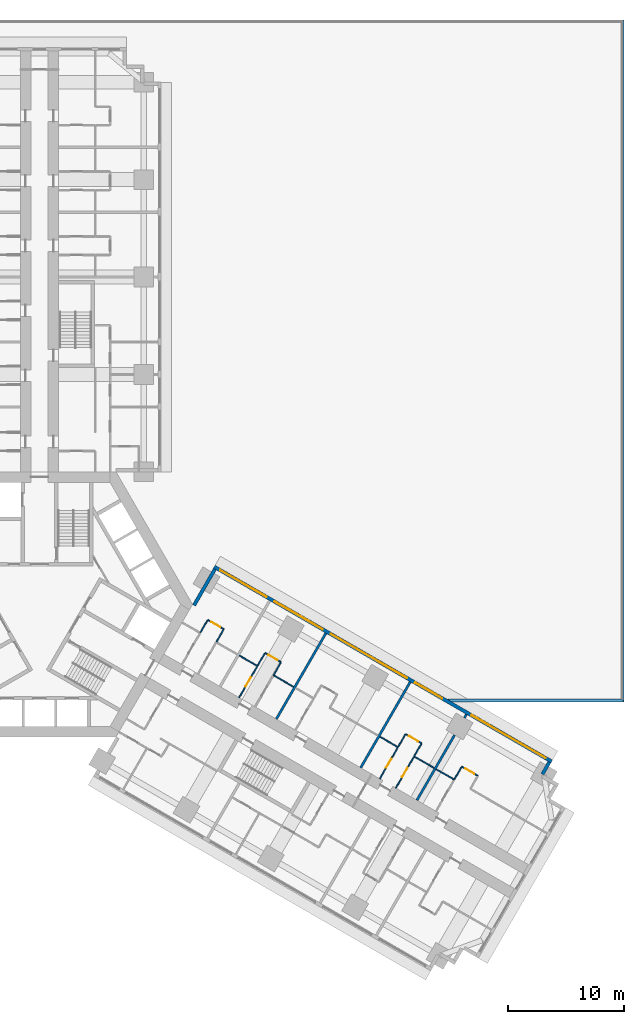
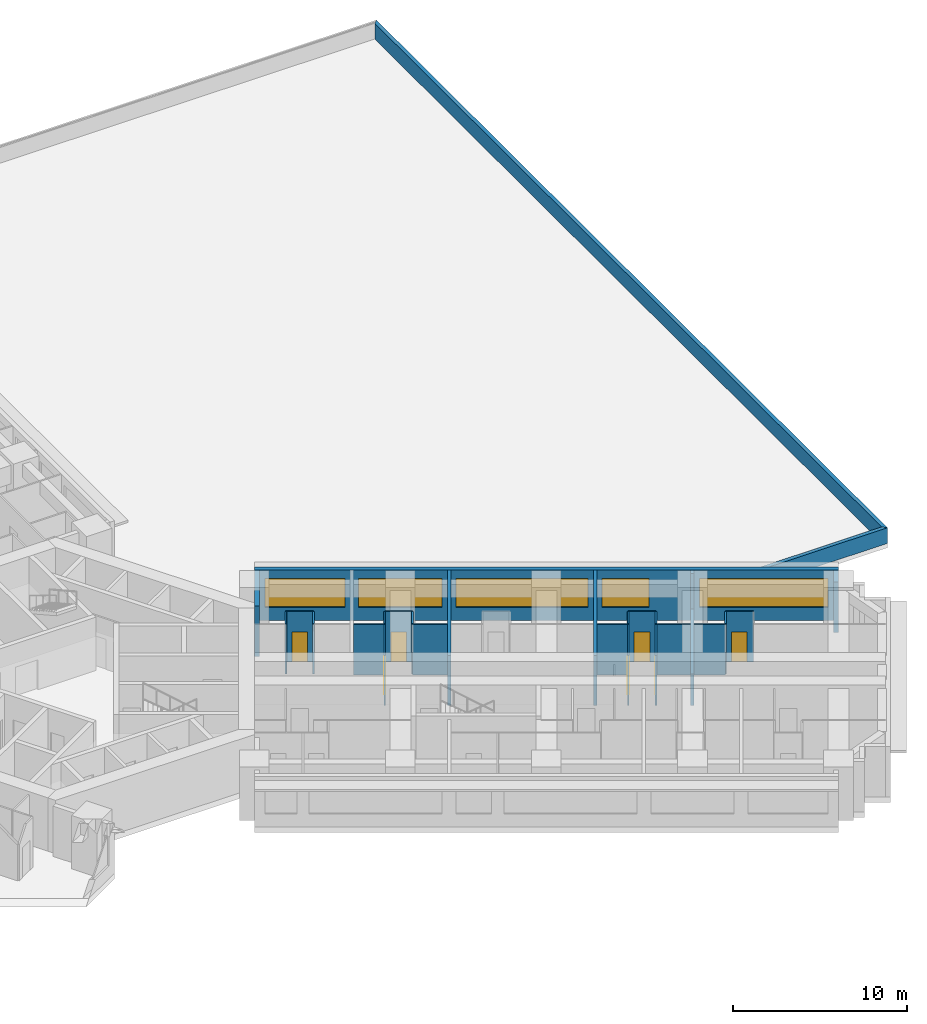
# One storey, part 13 of 18: 28 walls, 7 doors, 5 windows, 12 openings.
"""IFC4 building model written with IfcOpenShell, lengths in metres."""

from ifc_helpers import new_model, si_unit, direction, frame, frame_2d, origin, place, context, subcontext, project, spatial, polyline, rectangle, outline, extrude, material, layer, layer_set, type_object, element, fill, save


model = new_model("IFC4")

# Units and contexts
model_context = context("Model", 3, precision=1e-05, world=origin(), true_north=direction((0.0, 1.0)))
body_context = subcontext(model_context, "Body", "Model", "MODEL_VIEW")
ifc_project = project(units=[si_unit("LENGTHUNIT", "METRE"), si_unit("AREAUNIT", "SQUARE_METRE"), si_unit("VOLUMEUNIT", "CUBIC_METRE"), si_unit("PLANEANGLEUNIT", "RADIAN"), si_unit("MASSUNIT", "GRAM", prefix="KILO")], contexts=[model_context])

# Site, building, storey
site_placement = place(None, origin())
site = spatial("IfcSite", under=ifc_project, at=site_placement, CompositionType="ELEMENT")
building_placement = place(site_placement, origin())
building = spatial("IfcBuilding", under=site, at=building_placement, Name="Impinga Residences", CompositionType="ELEMENT")
storey_placement = place(building_placement, frame((0.0, 0.0, 26.0)))
storey = spatial("IfcBuildingStorey", under=building, at=storey_placement, Name="L05", CompositionType="ELEMENT", Elevation=26.0)

# Wall
ifc_material_1 = material(Name="Terracotta rainscreen on blockwork", Category="masonry")
ifc_layer_1 = layer(ifc_material_1, 0.300048828125)
ifc_layer_set_1 = layer_set([ifc_layer_1], Name="EW1 external wall, terracotta rainscreen on blockwork 300")
wall_type_1 = type_object("IfcWallType", Name="EW1 external wall, terracotta rainscreen on blockwork 300", PredefinedType="SOLIDWALL", material=ifc_layer_set_1)
wall_1_placement = place(storey_placement, frame((13.329833984375, -0.074951171875, 0.0), z_axis=(0.0, 0.0, 1.0), x_axis=(0.500012057535, 0.866018442252, 0.0)))
element("IfcWall", 1, at=wall_1_placement, inside=storey, type_object=wall_type_1, Name="External wall EW1 L05", PredefinedType="SOLIDWALL", context=body_context, shape_type="SweptSolid", body=[
    extrude(rectangle(XDim=3.60009765625, YDim=0.300048828125, at=frame_2d((1.800048828125, 0.0))), origin(), (0.0, 0.0, 1.0), 3.530029296875),
])

# Wall, openings, windows
wall_2_placement = place(storey_placement, frame((15.074951171875, 3.24755859375, 0.0), z_axis=(0.0, 0.0, 1.0), x_axis=(0.866024291668, -0.500001926238, 0.0)))
wall_2 = element("IfcWall", 2, at=wall_2_placement, inside=storey, type_object=wall_type_1, Name="External wall EW1 L05", PredefinedType="SOLIDWALL", context=body_context, shape_type="SweptSolid", body=[
    extrude(rectangle(XDim=33.599853515625, YDim=0.300048828125, at=frame_2d((16.7998046875, 0.0))), origin(), (0.0, 0.0, 1.0), 3.530029296875),
])
opening_1_placement = place(wall_2_placement, frame((0.60009765625, 0.0, 0.89990234375)))
opening_1 = element("IfcOpeningElement", 3, at=opening_1_placement, cuts=wall_2, Name="Opening W3", PredefinedType="OPENING", context=body_context, shape_type="SweptSolid", body=[
    extrude(rectangle(XDim=4.60009765625, YDim=2.050048828125, at=frame_2d((2.300048828125, 1.02490234375))), frame((0.0, 0.159912109375, 0.0), z_axis=(0.0, -1.0, 0.0), x_axis=(1.0, 0.0, 0.0)), (0.0, 0.0, 1.0), 0.320068359375),
])
opening_2_placement = place(wall_2_placement, frame((6.0, 0.0, 0.89990234375)))
opening_2 = element("IfcOpeningElement", 4, at=opening_2_placement, cuts=wall_2, Name="Opening W8", PredefinedType="OPENING", context=body_context, shape_type="SweptSolid", body=[
    extrude(rectangle(XDim=4.800048828125, YDim=2.050048828125, at=frame_2d((2.39990234375, 1.02490234375))), frame((0.0, 0.159912109375, 0.0), z_axis=(0.0, -1.0, 0.0), x_axis=(1.0, 0.0, 0.0)), (0.0, 0.0, 1.0), 0.320068359375),
])
opening_3_placement = place(wall_2_placement, frame((11.60009765625, 0.0, 0.89990234375)))
opening_3 = element("IfcOpeningElement", 5, at=opening_3_placement, cuts=wall_2, Name="Opening W5", PredefinedType="OPENING", context=body_context, shape_type="SweptSolid", body=[
    extrude(rectangle(XDim=7.60009765625, YDim=2.050048828125, at=frame_2d((3.800048828125, 1.02490234375))), frame((0.0, 0.159912109375, 0.0), z_axis=(0.0, -1.0, 0.0), x_axis=(1.0, 0.0, 0.0)), (0.0, 0.0, 1.0), 0.320068359375),
])
opening_4_placement = place(wall_2_placement, frame((20.0, 0.0, 0.89990234375)))
opening_4 = element("IfcOpeningElement", 6, at=opening_4_placement, cuts=wall_2, Name="Opening W11", PredefinedType="OPENING", context=body_context, shape_type="SweptSolid", body=[
    extrude(rectangle(XDim=2.699951171875, YDim=2.050048828125, at=frame_2d((1.35009765625, 1.02490234375))), frame((0.0, 0.159912109375, 0.0), z_axis=(0.0, -1.0, 0.0), x_axis=(1.0, 0.0, 0.0)), (0.0, 0.0, 1.0), 0.320068359375),
])
opening_5_placement = place(wall_2_placement, frame((25.60009765625, 0.0, 0.89990234375)))
opening_5 = element("IfcOpeningElement", 7, at=opening_5_placement, cuts=wall_2, Name="Opening W12", PredefinedType="OPENING", context=body_context, shape_type="SweptSolid", body=[
    extrude(rectangle(XDim=7.39990234375, YDim=2.050048828125, at=frame_2d((3.699951171875, 1.02490234375))), frame((0.0, 0.159912109375, 0.0), z_axis=(0.0, -1.0, 0.0), x_axis=(1.0, 0.0, 0.0)), (0.0, 0.0, 1.0), 0.320068359375),
])
ifc_material_2 = material(Name="Aluminium window, clear double glazing", Category="aluminium")
window_type_1 = type_object("IfcWindowType", Name="W11 ribbon window 2700x2050", PartitioningType="SINGLE_PANEL", PredefinedType="WINDOW", material=ifc_material_2)
window_1_placement = place(opening_4_placement, origin())
window_1 = element("IfcWindow", 8, at=window_1_placement, inside=storey, type_object=window_type_1, Name="Window L05", OverallHeight=2.050048828125, OverallWidth=2.699951171875, PartitioningType="SINGLE_PANEL", PredefinedType="WINDOW", context=body_context, shape_type="SweptSolid", body=[
    extrude(rectangle(XDim=2.699951171875, YDim=2.050048828125, at=frame_2d((1.35009765625, 1.02490234375))), frame((0.0, 0.030029296875, 0.0), z_axis=(0.0, -1.0, 0.0), x_axis=(1.0, 0.0, 0.0)), (0.0, 0.0, 1.0), 0.06005859375),
])
fill(opening_4, window_1)
window_type_2 = type_object("IfcWindowType", Name="W12 ribbon window 7400x2050", PartitioningType="SINGLE_PANEL", PredefinedType="WINDOW", material=ifc_material_2)
window_2_placement = place(opening_5_placement, origin())
window_2 = element("IfcWindow", 9, at=window_2_placement, inside=storey, type_object=window_type_2, Name="Window L05", OverallHeight=2.050048828125, OverallWidth=7.39990234375, PartitioningType="SINGLE_PANEL", PredefinedType="WINDOW", context=body_context, shape_type="SweptSolid", body=[
    extrude(rectangle(XDim=7.39990234375, YDim=2.050048828125, at=frame_2d((3.699951171875, 1.02490234375))), frame((0.0, 0.030029296875, 0.0), z_axis=(0.0, -1.0, 0.0), x_axis=(1.0, 0.0, 0.0)), (0.0, 0.0, 1.0), 0.06005859375),
])
fill(opening_5, window_2)
window_type_3 = type_object("IfcWindowType", Name="W3 ribbon window 4600x2050", PartitioningType="SINGLE_PANEL", PredefinedType="WINDOW", material=ifc_material_2)
window_3_placement = place(opening_1_placement, origin())
window_3 = element("IfcWindow", 10, at=window_3_placement, inside=storey, type_object=window_type_3, Name="Window L05", OverallHeight=2.050048828125, OverallWidth=4.60009765625, PartitioningType="SINGLE_PANEL", PredefinedType="WINDOW", context=body_context, shape_type="SweptSolid", body=[
    extrude(rectangle(XDim=4.60009765625, YDim=2.050048828125, at=frame_2d((2.300048828125, 1.02490234375))), frame((0.0, 0.030029296875, 0.0), z_axis=(0.0, -1.0, 0.0), x_axis=(1.0, 0.0, 0.0)), (0.0, 0.0, 1.0), 0.06005859375),
])
fill(opening_1, window_3)
window_type_4 = type_object("IfcWindowType", Name="W5 ribbon window 7600x2050", PartitioningType="SINGLE_PANEL", PredefinedType="WINDOW", material=ifc_material_2)
window_4_placement = place(opening_3_placement, origin())
window_4 = element("IfcWindow", 11, at=window_4_placement, inside=storey, type_object=window_type_4, Name="Window L05", OverallHeight=2.050048828125, OverallWidth=7.60009765625, PartitioningType="SINGLE_PANEL", PredefinedType="WINDOW", context=body_context, shape_type="SweptSolid", body=[
    extrude(rectangle(XDim=7.60009765625, YDim=2.050048828125, at=frame_2d((3.800048828125, 1.02490234375))), frame((0.0, 0.030029296875, 0.0), z_axis=(0.0, -1.0, 0.0), x_axis=(1.0, 0.0, 0.0)), (0.0, 0.0, 1.0), 0.06005859375),
])
fill(opening_3, window_4)
window_type_5 = type_object("IfcWindowType", Name="W8 ribbon window 4800x2050", PartitioningType="SINGLE_PANEL", PredefinedType="WINDOW", material=ifc_material_2)
window_5_placement = place(opening_2_placement, origin())
window_5 = element("IfcWindow", 12, at=window_5_placement, inside=storey, type_object=window_type_5, Name="Window L05", OverallHeight=2.050048828125, OverallWidth=4.800048828125, PartitioningType="SINGLE_PANEL", PredefinedType="WINDOW", context=body_context, shape_type="SweptSolid", body=[
    extrude(rectangle(XDim=4.800048828125, YDim=2.050048828125, at=frame_2d((2.39990234375, 1.02490234375))), frame((0.0, 0.030029296875, 0.0), z_axis=(0.0, -1.0, 0.0), x_axis=(1.0, 0.0, 0.0)), (0.0, 0.0, 1.0), 0.06005859375),
])
fill(opening_2, window_5)

# Wall
wall_3_placement = place(storey_placement, frame((43.968505859375, -13.607421875, 0.0), z_axis=(0.0, 0.0, 1.0), x_axis=(-0.500029051137, -0.866008630453, 0.0)))
element("IfcWall", 13, at=wall_3_placement, inside=storey, type_object=wall_type_1, Name="External wall EW1 L05", PredefinedType="SOLIDWALL", context=body_context, shape_type="SweptSolid", body=[
    extrude(rectangle(XDim=1.19482421875, YDim=0.300048828125, at=frame_2d((0.597412109375, 0.0))), origin(), (0.0, 0.0, 1.0), 3.530029296875),
])

# Wall, opening, door
ifc_material_3 = material(Name="Gypsum board on steel studs", Category="steel")
ifc_layer_2 = layer(ifc_material_3, 0.10009765625)
ifc_layer_set_2 = layer_set([ifc_layer_2], Name="Gypsum board on steel studs")
wall_type_2 = type_object("IfcWallType", Name="IP1 partition 100", PredefinedType="PARTITIONING", material=ifc_layer_set_2)
wall_4_placement = place(storey_placement, frame((14.5087890625, -1.3330078125, 0.0), z_axis=(0.0, 0.0, 1.0), x_axis=(0.866028054938, -0.499995408039, 0.0)))
wall_4 = element("IfcWall", 14, at=wall_4_placement, inside=storey, type_object=wall_type_2, Name="Partition L05-EA1:STRIP", PredefinedType="PARTITIONING", context=body_context, shape_type="SweptSolid", body=[
    extrude(rectangle(XDim=1.60009765625, YDim=0.10009765625, at=frame_2d((0.800048828125, 0.0))), origin(), (0.0, 0.0, 1.0), 3.530029296875),
])
opening_6_placement = place(wall_4_placement, frame((0.35009765625, 0.0, 0.0)))
opening_6 = element("IfcOpeningElement", 15, at=opening_6_placement, cuts=wall_4, Name="Opening D2", PredefinedType="OPENING", context=body_context, shape_type="SweptSolid", body=[
    extrude(rectangle(XDim=0.89990234375, YDim=2.10009765625, at=frame_2d((0.449951171875, 1.050048828125))), frame((0.0, 0.06005859375, 0.0), z_axis=(0.0, -1.0, 0.0), x_axis=(1.0, 0.0, 0.0)), (0.0, 0.0, 1.0), 0.1201171875),
])
ifc_material_4 = material(Name="Timber door set", Category="wood")
door_type = type_object("IfcDoorType", Name="D2 internal door 900x2100", OperationType="SINGLE_SWING_LEFT", PredefinedType="DOOR", material=ifc_material_4)
door_1_placement = place(opening_6_placement, origin())
door_1 = element("IfcDoor", 16, at=door_1_placement, inside=storey, type_object=door_type, Name="Apartment L05-EA1 room door", OperationType="SINGLE_SWING_LEFT", OverallHeight=2.10009765625, OverallWidth=0.89990234375, PredefinedType="DOOR", context=body_context, shape_type="SweptSolid", body=[
    extrude(rectangle(XDim=0.89990234375, YDim=2.10009765625, at=frame_2d((0.449951171875, 1.050048828125))), frame((0.0, 0.02490234375, 0.0), z_axis=(0.0, -1.0, 0.0), x_axis=(1.0, 0.0, 0.0)), (0.0, 0.0, 1.0), 0.050048828125),
])
fill(opening_6, door_1)

# Walls
wall_5_placement = place(storey_placement, frame((13.8837890625, -2.41552734375, 0.0), z_axis=(0.0, 0.0, 1.0), x_axis=(0.500033551112, 0.866006032174, 0.0)))
element("IfcWall", 17, at=wall_5_placement, inside=storey, type_object=wall_type_2, Name="Partition L05-EA1:SE0", PredefinedType="PARTITIONING", context=body_context, shape_type="SweptSolid", body=[
    extrude(rectangle(XDim=1.2001953125, YDim=0.10009765625, at=frame_2d((0.60009765625, 0.0))), origin(), (0.0, 0.0, 1.0), 3.530029296875),
])
wall_6_placement = place(storey_placement, frame((15.26953125, -3.215576171875, 0.0), z_axis=(0.0, 0.0, 1.0), x_axis=(0.499880961361, 0.866094119867, 0.0)))
element("IfcWall", 18, at=wall_6_placement, inside=storey, type_object=wall_type_2, Name="Partition L05-EA1:SE1", PredefinedType="PARTITIONING", context=body_context, shape_type="SweptSolid", body=[
    extrude(rectangle(XDim=1.199951171875, YDim=0.10009765625, at=frame_2d((0.60009765625, 0.0))), origin(), (0.0, 0.0, 1.0), 3.530029296875),
])
wall_7_placement = place(storey_placement, frame((17.236328125, -4.408935546875, 0.0), z_axis=(0.0, 0.0, 1.0), x_axis=(0.866047807691, -0.499961193289, 0.0)))
element("IfcWall", 19, at=wall_7_placement, inside=storey, type_object=wall_type_2, Name="Partition L05-EA2:DIV0", PredefinedType="PARTITIONING", context=body_context, shape_type="SweptSolid", body=[
    extrude(rectangle(XDim=1.800048828125, YDim=0.10009765625, at=frame_2d((0.89990234375, 0.0))), origin(), (0.0, 0.0, 1.0), 3.530029296875),
])
wall_8_placement = place(storey_placement, frame((20.180908203125, -6.10888671875, 0.0), z_axis=(0.0, 0.0, 1.0), x_axis=(0.866010750942, -0.50002537861, 0.0)))
element("IfcWall", 20, at=wall_8_placement, inside=storey, type_object=wall_type_2, Name="Partition L05-EA2:DIV1", PredefinedType="PARTITIONING", context=body_context, shape_type="SweptSolid", body=[
    extrude(rectangle(XDim=2.0, YDim=0.10009765625, at=frame_2d((1.0, 0.0))), origin(), (0.0, 0.0, 1.0), 3.530029296875),
])

# Wall, opening, door
wall_9_placement = place(storey_placement, frame((19.4453125, -4.18310546875, 0.0), z_axis=(0.0, 0.0, 1.0), x_axis=(0.866055983265, -0.499947031044, 0.0)))
wall_9 = element("IfcWall", 21, at=wall_9_placement, inside=storey, type_object=wall_type_2, Name="Partition L05-EA2:STRIP", PredefinedType="PARTITIONING", context=body_context, shape_type="SweptSolid", body=[
    extrude(rectangle(XDim=1.599853515625, YDim=0.10009765625, at=frame_2d((0.7998046875, 0.0))), origin(), (0.0, 0.0, 1.0), 3.530029296875),
])
opening_7_placement = place(wall_9_placement, frame((0.35009765625, 0.0, 0.0)))
opening_7 = element("IfcOpeningElement", 22, at=opening_7_placement, cuts=wall_9, Name="Opening D2", PredefinedType="OPENING", context=body_context, shape_type="SweptSolid", body=[
    extrude(rectangle(XDim=0.89990234375, YDim=2.10009765625, at=frame_2d((0.449951171875, 1.050048828125))), frame((0.0, 0.06005859375, 0.0), z_axis=(0.0, -1.0, 0.0), x_axis=(1.0, 0.0, 0.0)), (0.0, 0.0, 1.0), 0.1201171875),
])
door_2_placement = place(opening_7_placement, origin())
door_2 = element("IfcDoor", 23, at=door_2_placement, inside=storey, type_object=door_type, Name="Apartment L05-EA2 room door", OperationType="SINGLE_SWING_LEFT", OverallHeight=2.10009765625, OverallWidth=0.89990234375, PredefinedType="DOOR", context=body_context, shape_type="SweptSolid", body=[
    extrude(rectangle(XDim=0.89990234375, YDim=2.10009765625, at=frame_2d((0.449951171875, 1.050048828125))), frame((0.0, 0.02490234375, 0.0), z_axis=(0.0, -1.0, 0.0), x_axis=(1.0, 0.0, 0.0)), (0.0, 0.0, 1.0), 0.050048828125),
])
fill(opening_7, door_2)

# Walls
for number, where, z_axis, x_axis, name in (
    (24, (18.8203125, -5.265625, 0.0), (0.0, 0.0, 1.0), (0.499880961361, 0.866094119867, 0.0), "Partition L05-EA2:SE0"),
    (25, (20.205810546875, -6.0654296875, 0.0), (0.0, 0.0, 1.0), (0.50012165622, 0.865955154139, 0.0), "Partition L05-EA2:SE1"),
):
    element("IfcWall", number, at=place(storey_placement, frame(where, z_axis=z_axis, x_axis=x_axis)), inside=storey, type_object=wall_type_2, Name=name, PredefinedType="PARTITIONING", context=body_context, shape_type="SweptSolid", body=[
        extrude(rectangle(XDim=1.199951171875, YDim=0.10009765625, at=frame_2d((0.60009765625, 0.0))), origin(), (0.0, 0.0, 1.0), 3.530029296875),
    ])

# Wall, opening, door
wall_10_placement = place(storey_placement, frame((17.22021484375, -8.036865234375, 0.0), z_axis=(0.0, 0.0, 1.0), x_axis=(0.49999285859, 0.86602952684, 0.0)))
wall_10 = element("IfcWall", 26, at=wall_10_placement, inside=storey, type_object=wall_type_2, Name="Partition L05-EA2:IB1", PredefinedType="PARTITIONING", context=body_context, shape_type="SweptSolid", body=[
    extrude(rectangle(XDim=3.10009765625, YDim=0.10009765625, at=frame_2d((1.550048828125, 0.0))), origin(), (0.0, 0.0, 1.0), 3.530029296875),
])
opening_8_placement = place(wall_10_placement, frame((1.10009765625, 0.0, 0.0)))
opening_8 = element("IfcOpeningElement", 27, at=opening_8_placement, cuts=wall_10, Name="Opening D2", PredefinedType="OPENING", context=body_context, shape_type="SweptSolid", body=[
    extrude(rectangle(XDim=0.89990234375, YDim=2.10009765625, at=frame_2d((0.449951171875, 1.050048828125))), frame((0.0, 0.06005859375, 0.0), z_axis=(0.0, -1.0, 0.0), x_axis=(1.0, 0.0, 0.0)), (0.0, 0.0, 1.0), 0.1201171875),
])
door_3_placement = place(opening_8_placement, origin())
door_3 = element("IfcDoor", 28, at=door_3_placement, inside=storey, type_object=door_type, Name="Apartment L05-EA2 bathroom door", OperationType="SINGLE_SWING_LEFT", OverallHeight=2.10009765625, OverallWidth=0.89990234375, PredefinedType="DOOR", context=body_context, shape_type="SweptSolid", body=[
    extrude(rectangle(XDim=0.89990234375, YDim=2.10009765625, at=frame_2d((0.449951171875, 1.050048828125))), frame((0.0, 0.02490234375, 0.0), z_axis=(0.0, -1.0, 0.0), x_axis=(1.0, 0.0, 0.0)), (0.0, 0.0, 1.0), 0.050048828125),
])
fill(opening_8, door_3)

# Walls
wall_11_placement = place(storey_placement, frame((29.360595703125, -11.408935546875, 0.0), z_axis=(0.0, 0.0, 1.0), x_axis=(0.866047807691, -0.499961193289, 0.0)))
element("IfcWall", 29, at=wall_11_placement, inside=storey, type_object=wall_type_2, Name="Partition L05-EA4:DIV0", PredefinedType="PARTITIONING", context=body_context, shape_type="SweptSolid", body=[
    extrude(rectangle(XDim=1.800048828125, YDim=0.10009765625, at=frame_2d((0.89990234375, 0.0))), origin(), (0.0, 0.0, 1.0), 3.530029296875),
])
wall_12_placement = place(storey_placement, frame((32.30517578125, -13.10888671875, 0.0), z_axis=(0.0, 0.0, 1.0), x_axis=(0.866041268327, -0.499972520799, 0.0)))
element("IfcWall", 30, at=wall_12_placement, inside=storey, type_object=wall_type_2, Name="Partition L05-EA4:DIV1", PredefinedType="PARTITIONING", context=body_context, shape_type="SweptSolid", body=[
    extrude(rectangle(XDim=2.0, YDim=0.10009765625, at=frame_2d((1.0, 0.0))), origin(), (0.0, 0.0, 1.0), 3.530029296875),
])

# Wall, opening, door
wall_13_placement = place(storey_placement, frame((31.569580078125, -11.18310546875, 0.0), z_axis=(0.0, 0.0, 1.0), x_axis=(0.866055983265, -0.499947031044, 0.0)))
wall_13 = element("IfcWall", 31, at=wall_13_placement, inside=storey, type_object=wall_type_2, Name="Partition L05-EA4:STRIP", PredefinedType="PARTITIONING", context=body_context, shape_type="SweptSolid", body=[
    extrude(rectangle(XDim=1.599853515625, YDim=0.10009765625, at=frame_2d((0.7998046875, 0.0))), origin(), (0.0, 0.0, 1.0), 3.530029296875),
])
opening_9_placement = place(wall_13_placement, frame((0.35009765625, 0.0, 0.0)))
opening_9 = element("IfcOpeningElement", 32, at=opening_9_placement, cuts=wall_13, Name="Opening D2", PredefinedType="OPENING", context=body_context, shape_type="SweptSolid", body=[
    extrude(rectangle(XDim=0.89990234375, YDim=2.10009765625, at=frame_2d((0.449951171875, 1.050048828125))), frame((0.0, 0.06005859375, 0.0), z_axis=(0.0, -1.0, 0.0), x_axis=(1.0, 0.0, 0.0)), (0.0, 0.0, 1.0), 0.1201171875),
])
door_4_placement = place(opening_9_placement, origin())
door_4 = element("IfcDoor", 33, at=door_4_placement, inside=storey, type_object=door_type, Name="Apartment L05-EA4 room door", OperationType="SINGLE_SWING_LEFT", OverallHeight=2.10009765625, OverallWidth=0.89990234375, PredefinedType="DOOR", context=body_context, shape_type="SweptSolid", body=[
    extrude(rectangle(XDim=0.89990234375, YDim=2.10009765625, at=frame_2d((0.449951171875, 1.050048828125))), frame((0.0, 0.02490234375, 0.0), z_axis=(0.0, -1.0, 0.0), x_axis=(1.0, 0.0, 0.0)), (0.0, 0.0, 1.0), 0.050048828125),
])
fill(opening_9, door_4)

# Walls
for number, where, z_axis, x_axis, name in (
    (34, (30.944580078125, -12.265625, 0.0), (0.0, 0.0, 1.0), (0.499880961361, 0.866094119867, 0.0), "Partition L05-EA4:SE0"),
    (35, (32.330078125, -13.0654296875, 0.0), (0.0, 0.0, 1.0), (0.50012165622, 0.865955154139, 0.0), "Partition L05-EA4:SE1"),
):
    element("IfcWall", number, at=place(storey_placement, frame(where, z_axis=z_axis, x_axis=x_axis)), inside=storey, type_object=wall_type_2, Name=name, PredefinedType="PARTITIONING", context=body_context, shape_type="SweptSolid", body=[
        extrude(rectangle(XDim=1.199951171875, YDim=0.10009765625, at=frame_2d((0.60009765625, 0.0))), origin(), (0.0, 0.0, 1.0), 3.530029296875),
    ])

# Wall, opening, door
wall_14_placement = place(storey_placement, frame((29.344482421875, -15.036865234375, 0.0), z_axis=(0.0, 0.0, 1.0), x_axis=(0.49999285859, 0.86602952684, 0.0)))
wall_14 = element("IfcWall", 36, at=wall_14_placement, inside=storey, type_object=wall_type_2, Name="Partition L05-EA4:IB1", PredefinedType="PARTITIONING", context=body_context, shape_type="SweptSolid", body=[
    extrude(rectangle(XDim=3.10009765625, YDim=0.10009765625, at=frame_2d((1.550048828125, 0.0))), origin(), (0.0, 0.0, 1.0), 3.530029296875),
])
opening_10_placement = place(wall_14_placement, frame((1.10009765625, 0.0, 0.0)))
opening_10 = element("IfcOpeningElement", 37, at=opening_10_placement, cuts=wall_14, Name="Opening D2", PredefinedType="OPENING", context=body_context, shape_type="SweptSolid", body=[
    extrude(rectangle(XDim=0.89990234375, YDim=2.10009765625, at=frame_2d((0.449951171875, 1.050048828125))), frame((0.0, 0.06005859375, 0.0), z_axis=(0.0, -1.0, 0.0), x_axis=(1.0, 0.0, 0.0)), (0.0, 0.0, 1.0), 0.1201171875),
])
door_5_placement = place(opening_10_placement, origin())
door_5 = element("IfcDoor", 38, at=door_5_placement, inside=storey, type_object=door_type, Name="Apartment L05-EA4 bathroom door", OperationType="SINGLE_SWING_LEFT", OverallHeight=2.10009765625, OverallWidth=0.89990234375, PredefinedType="DOOR", context=body_context, shape_type="SweptSolid", body=[
    extrude(rectangle(XDim=0.89990234375, YDim=2.10009765625, at=frame_2d((0.449951171875, 1.050048828125))), frame((0.0, 0.02490234375, 0.0), z_axis=(0.0, -1.0, 0.0), x_axis=(1.0, 0.0, 0.0)), (0.0, 0.0, 1.0), 0.050048828125),
])
fill(opening_10, door_5)

wall_15_placement = place(storey_placement, frame((30.730224609375, -15.8369140625, 0.0), z_axis=(0.0, 0.0, 1.0), x_axis=(0.49999285859, 0.86602952684, 0.0)))
wall_15 = element("IfcWall", 39, at=wall_15_placement, inside=storey, type_object=wall_type_2, Name="Partition L05-EA4:IB2", PredefinedType="PARTITIONING", context=body_context, shape_type="SweptSolid", body=[
    extrude(rectangle(XDim=3.10009765625, YDim=0.10009765625, at=frame_2d((1.550048828125, 0.0))), origin(), (0.0, 0.0, 1.0), 3.530029296875),
])
opening_11_placement = place(wall_15_placement, frame((1.10009765625, 0.0, 0.0)))
opening_11 = element("IfcOpeningElement", 40, at=opening_11_placement, cuts=wall_15, Name="Opening D2", PredefinedType="OPENING", context=body_context, shape_type="SweptSolid", body=[
    extrude(rectangle(XDim=0.89990234375, YDim=2.10009765625, at=frame_2d((0.449951171875, 1.050048828125))), frame((0.0, 0.06005859375, 0.0), z_axis=(0.0, -1.0, 0.0), x_axis=(1.0, 0.0, 0.0)), (0.0, 0.0, 1.0), 0.1201171875),
])
door_6_placement = place(opening_11_placement, origin())
door_6 = element("IfcDoor", 41, at=door_6_placement, inside=storey, type_object=door_type, Name="Apartment L05-EA4 WC door", OperationType="SINGLE_SWING_LEFT", OverallHeight=2.10009765625, OverallWidth=0.89990234375, PredefinedType="DOOR", context=body_context, shape_type="SweptSolid", body=[
    extrude(rectangle(XDim=0.89990234375, YDim=2.10009765625, at=frame_2d((0.449951171875, 1.050048828125))), frame((0.0, 0.02490234375, 0.0), z_axis=(0.0, -1.0, 0.0), x_axis=(1.0, 0.0, 0.0)), (0.0, 0.0, 1.0), 0.050048828125),
])
fill(opening_11, door_6)

# Wall
wall_16_placement = place(storey_placement, frame((34.21044921875, -14.208740234375, 0.0), z_axis=(0.0, 0.0, 1.0), x_axis=(0.865989075817, -0.500062916607, 0.0)))
element("IfcWall", 42, at=wall_16_placement, inside=storey, type_object=wall_type_2, Name="Partition L05-EA5:DIV0", PredefinedType="PARTITIONING", context=body_context, shape_type="SweptSolid", body=[
    extrude(rectangle(XDim=1.800048828125, YDim=0.10009765625, at=frame_2d((0.89990234375, 0.0))), origin(), (0.0, 0.0, 1.0), 3.530029296875),
])

# Wall, opening, door
wall_17_placement = place(storey_placement, frame((36.419189453125, -13.98291015625, 0.0), z_axis=(0.0, 0.0, 1.0), x_axis=(0.866028054938, -0.499995408039, 0.0)))
wall_17 = element("IfcWall", 43, at=wall_17_placement, inside=storey, type_object=wall_type_2, Name="Partition L05-EA5:STRIP", PredefinedType="PARTITIONING", context=body_context, shape_type="SweptSolid", body=[
    extrude(rectangle(XDim=1.60009765625, YDim=0.10009765625, at=frame_2d((0.800048828125, 0.0))), origin(), (0.0, 0.0, 1.0), 3.530029296875),
])
opening_12_placement = place(wall_17_placement, frame((0.35009765625, 0.0, 0.0)))
opening_12 = element("IfcOpeningElement", 44, at=opening_12_placement, cuts=wall_17, Name="Opening D2", PredefinedType="OPENING", context=body_context, shape_type="SweptSolid", body=[
    extrude(rectangle(XDim=0.89990234375, YDim=2.10009765625, at=frame_2d((0.449951171875, 1.050048828125))), frame((0.0, 0.06005859375, 0.0), z_axis=(0.0, -1.0, 0.0), x_axis=(1.0, 0.0, 0.0)), (0.0, 0.0, 1.0), 0.1201171875),
])
door_7_placement = place(opening_12_placement, origin())
door_7 = element("IfcDoor", 45, at=door_7_placement, inside=storey, type_object=door_type, Name="Apartment L05-EA5 room door", OperationType="SINGLE_SWING_LEFT", OverallHeight=2.10009765625, OverallWidth=0.89990234375, PredefinedType="DOOR", context=body_context, shape_type="SweptSolid", body=[
    extrude(rectangle(XDim=0.89990234375, YDim=2.10009765625, at=frame_2d((0.449951171875, 1.050048828125))), frame((0.0, 0.02490234375, 0.0), z_axis=(0.0, -1.0, 0.0), x_axis=(1.0, 0.0, 0.0)), (0.0, 0.0, 1.0), 0.050048828125),
])
fill(opening_12, door_7)

# Walls
wall_18_placement = place(storey_placement, frame((35.794189453125, -15.0654296875, 0.0), z_axis=(0.0, 0.0, 1.0), x_axis=(0.50012165622, 0.865955154139, 0.0)))
element("IfcWall", 46, at=wall_18_placement, inside=storey, type_object=wall_type_2, Name="Partition L05-EA5:SE0", PredefinedType="PARTITIONING", context=body_context, shape_type="SweptSolid", body=[
    extrude(rectangle(XDim=1.199951171875, YDim=0.10009765625, at=frame_2d((0.60009765625, 0.0))), origin(), (0.0, 0.0, 1.0), 3.530029296875),
])
ifc_material_5 = material(Name="Concrete C60/75", Category="concrete")
ifc_layer_3 = layer(ifc_material_5, 0.25)
ifc_layer_set_3 = layer_set([ifc_layer_3], Name="Concrete C60/75")
wall_type_3 = type_object("IfcWallType", Name="PA1 roof parapet 250", PredefinedType="PARAPET", material=ifc_layer_set_3)
wall_19_placement = place(storey_placement, origin())
element("IfcWall", 47, at=wall_19_placement, inside=storey, type_object=wall_type_3, Name="Parapet PA1 L05", PredefinedType="PARAPET", context=body_context, shape_type="SweptSolid", body=[
    extrude(outline(polyline([(50.39990234375, 50.39990234375), (50.39990234375, -8.39990234375), (50.14990234375, -8.14990234375), (50.14990234375, 50.14990234375), (50.39990234375, 50.39990234375)])), origin(), (0.0, 0.0, 1.0), 1.10009765625),
])
wall_20_placement = place(storey_placement, origin())
element("IfcWall", 48, at=wall_20_placement, inside=storey, type_object=wall_type_3, Name="Parapet PA1 L05", PredefinedType="PARAPET", context=body_context, shape_type="SweptSolid", body=[
    extrude(outline(polyline([(50.39990234375, -8.39990234375), (35.55126953125, -8.39990234375), (35.1181640625, -8.14990234375), (50.14990234375, -8.14990234375), (50.39990234375, -8.39990234375)])), origin(), (0.0, 0.0, 1.0), 1.10009765625),
])
ifc_material_6 = material(Name="Concrete blockwork", Category="masonry")
ifc_layer_4 = layer(ifc_material_6, 0.199951171875)
ifc_layer_set_4 = layer_set([ifc_layer_4], Name="PW1 party wall between apartments 200")
wall_type_4 = type_object("IfcWallType", Name="PW1 party wall between apartments 200", PredefinedType="SOLIDWALL", material=ifc_layer_set_4)
wall_21_placement = place(storey_placement, frame((20.424560546875, -9.88671875, 0.0), z_axis=(0.0, 0.0, 1.0), x_axis=(0.500002592159, 0.866023907196, 0.0)))
element("IfcWall", 49, at=wall_21_placement, inside=storey, type_object=wall_type_4, Name="Party wall between apartments L05-EA2:PARTY", PredefinedType="SOLIDWALL", context=body_context, shape_type="SweptSolid", body=[
    extrude(rectangle(XDim=8.5498046875, YDim=0.199951171875, at=frame_2d((4.27490234375, 0.0))), origin(), (0.0, 0.0, 1.0), 3.530029296875),
])
wall_22_placement = place(storey_placement, frame((27.69921875, -14.0869140625, 0.0), z_axis=(0.0, 0.0, 1.0), x_axis=(0.499990227581, 0.86603104582, 0.0)))
element("IfcWall", 50, at=wall_22_placement, inside=storey, type_object=wall_type_4, Name="Party wall between apartments L05-EA3:PARTY", PredefinedType="SOLIDWALL", context=body_context, shape_type="SweptSolid", body=[
    extrude(rectangle(XDim=8.550048828125, YDim=0.199951171875, at=frame_2d((4.27490234375, 0.0))), origin(), (0.0, 0.0, 1.0), 3.530029296875),
])
wall_23_placement = place(storey_placement, frame((32.548828125, -16.88671875, 0.0), z_axis=(0.0, 0.0, 1.0), x_axis=(0.50000098154, 0.866024837091, 0.0)))
element("IfcWall", 51, at=wall_23_placement, inside=storey, type_object=wall_type_4, Name="Party wall between apartments L05-EA4:PARTY", PredefinedType="SOLIDWALL", context=body_context, shape_type="SweptSolid", body=[
    extrude(rectangle(XDim=6.5, YDim=0.199951171875, at=frame_2d((3.25, 0.0))), origin(), (0.0, 0.0, 1.0), 2.22998046875),
])
wall_24_placement = place(storey_placement, frame((36.64892578125, -9.785400390625, 0.0), z_axis=(0.0, 0.0, 1.0), x_axis=(0.499742594395, 0.866173965983, 0.0)))
element("IfcWall", 52, at=wall_24_placement, inside=storey, type_object=wall_type_4, Name="Party wall between apartments L05-EA4:PARTYb", PredefinedType="SOLIDWALL", context=body_context, shape_type="SweptSolid", body=[
    extrude(rectangle(XDim=0.349853515625, YDim=0.199951171875, at=frame_2d((0.1748046875, 0.0))), origin(), (0.0, 0.0, 1.0), 3.530029296875),
])

save(model, "model.ifc")
